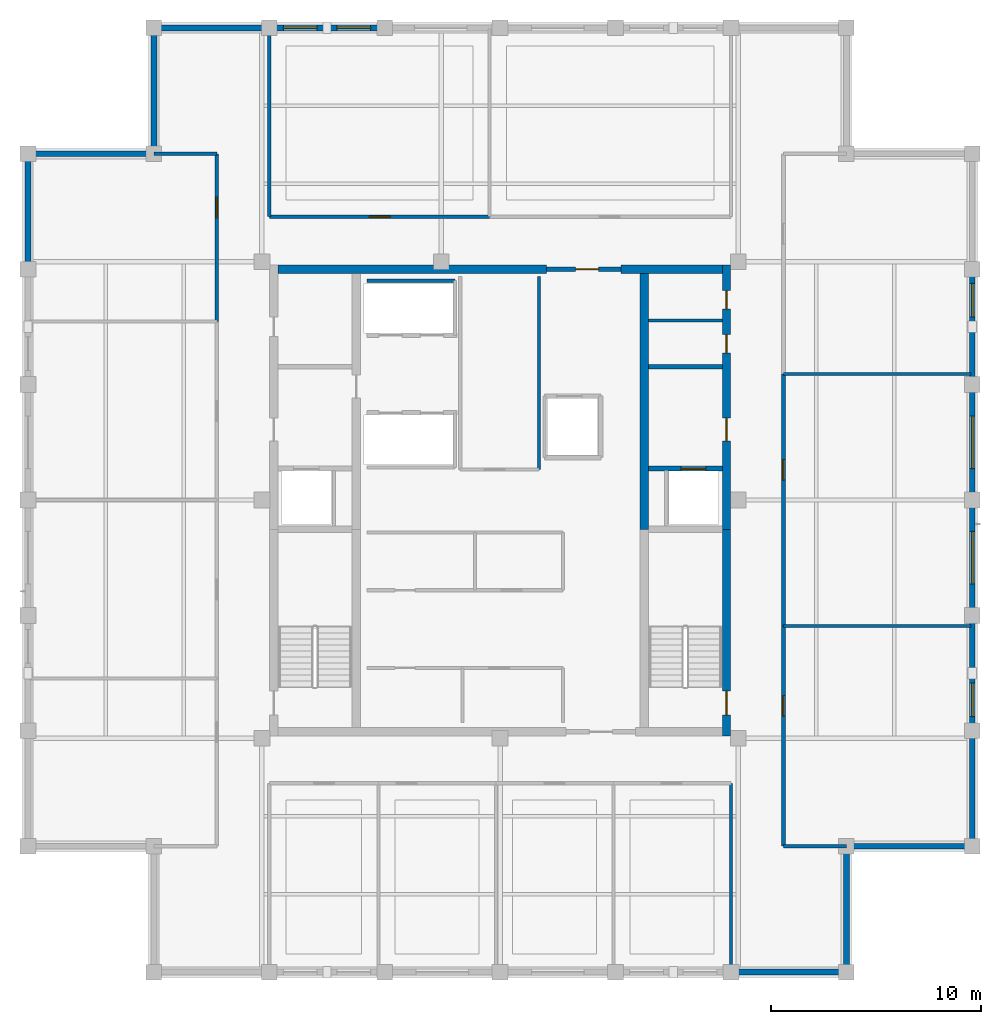
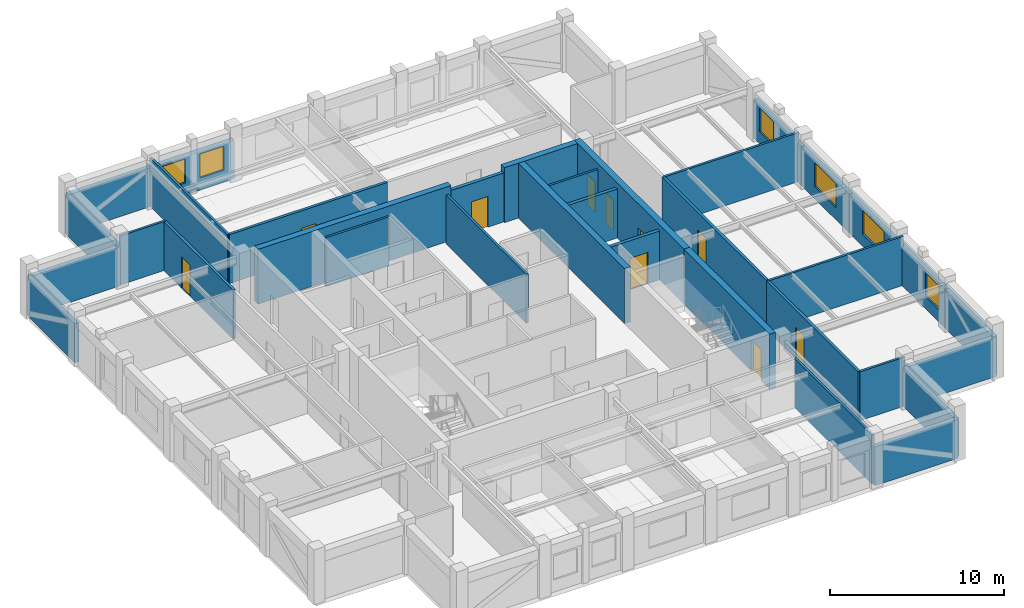
# One storey, part 7 of 10: 34 walls, 10 doors, 6 windows, 16 openings.
"""IFC4 building model written with IfcOpenShell, lengths in metres."""

from ifc_helpers import new_model, si_unit, direction, frame, frame_2d, origin, place, context, subcontext, project, spatial, rectangle, extrude, material, layer, layer_set, type_object, element, fill, save


model = new_model("IFC4")

# Units and contexts
model_context = context("Model", 3, precision=1e-05, world=origin(), true_north=direction((0.0, 1.0)))
body_context = subcontext(model_context, "Body", "Model", "MODEL_VIEW")
ifc_project = project(units=[si_unit("LENGTHUNIT", "METRE"), si_unit("AREAUNIT", "SQUARE_METRE"), si_unit("VOLUMEUNIT", "CUBIC_METRE"), si_unit("PLANEANGLEUNIT", "RADIAN"), si_unit("MASSUNIT", "GRAM", prefix="KILO")], contexts=[model_context])

# Site, building, storey
site_placement = place(None, origin())
site = spatial("IfcSite", under=ifc_project, at=site_placement, CompositionType="ELEMENT")
building_placement = place(site_placement, origin())
building = spatial("IfcBuilding", under=site, at=building_placement, Name="Nhamokura Convention Tower", CompositionType="ELEMENT")
storey_placement = place(building_placement, frame((0.0, 0.0, 262.14990234375)))
storey = spatial("IfcBuildingStorey", under=building, at=storey_placement, Name="L64", CompositionType="ELEMENT", Elevation=262.14990234375)

# Walls
ifc_material_1 = material(Name="Moisture-resistant tile-backer partition", Category="masonry")
ifc_layer_1 = layer(ifc_material_1, 0.139892578125)
ifc_layer_set_1 = layer_set([ifc_layer_1], Name="BathroomWetWall_140")
wall_type_1 = type_object("IfcWallType", Name="BathroomWetWall_140", PredefinedType="STANDARD", material=ifc_layer_set_1)
wall_1_placement = place(storey_placement, frame((39.06005859375, 40.550048828125, 0.0), z_axis=(0.0, 0.0, 1.0), x_axis=(1.0, 0.0, 0.0)))
element("IfcWall", 1, at=wall_1_placement, inside=storey, type_object=wall_type_1, Name="L64 Wall INT-L64-CWNE", PredefinedType="STANDARD", context=body_context, shape_type="SweptSolid", body=[
    extrude(rectangle(XDim=3.530029296875, YDim=0.139892578125, at=frame_2d((1.76513671875, 0.0))), origin(), (0.0, 0.0, 1.0), 3.43017578125),
])
ifc_material_2 = material(Name="Bronze-pigmented precast concrete C45/55", Category="concrete")
ifc_layer_2 = layer(ifc_material_2, 0.280029296875)
ifc_layer_set_2 = layer_set([ifc_layer_2], Name="BronzePrecastSpandrel_280")
wall_type_2 = type_object("IfcWallType", Name="BronzePrecastSpandrel_280", PredefinedType="USERDEFINED", material=ifc_layer_set_2)
for number, where, z_axis, x_axis, name in (
    (2, (48.5, 9.5, 0.0), (0.0, 0.0, 1.0), (-1.0, 0.0, 0.0), "L64 Braced-Bay Precast Wall SOUTH 5"),
    (3, (15.5, 54.5, 0.0), (0.0, 0.0, 1.0), (1.0, 0.0, 0.0), "L64 Braced-Bay Precast Wall NORTH 0"),
):
    element("IfcWall", number, at=place(storey_placement, frame(where, z_axis=z_axis, x_axis=x_axis)), inside=storey, type_object=wall_type_2, Name=name, ObjectType="SPANDREL_WALL", PredefinedType="USERDEFINED", context=body_context, shape_type="SweptSolid", body=[
        extrude(rectangle(XDim=5.5, YDim=0.280029296875, at=frame_2d((2.75, 0.0))), origin(), (0.0, 0.0, 1.0), 2.72998046875),
    ])

# Wall, openings, windows
wall_2_placement = place(storey_placement, frame((21.0, 54.5, 0.0), z_axis=(0.0, 0.0, 1.0), x_axis=(1.0, 0.0, 0.0)))
wall_2 = element("IfcWall", 4, at=wall_2_placement, inside=storey, type_object=wall_type_2, Name="L64 Masonry-Frame Wall NORTH 1", ObjectType="SPANDREL_WALL", PredefinedType="USERDEFINED", context=body_context, shape_type="SweptSolid", body=[
    extrude(rectangle(XDim=5.5, YDim=0.280029296875, at=frame_2d((2.75, 0.0))), origin(), (0.0, 0.0, 1.0), 2.72998046875),
])
opening_1_placement = place(wall_2_placement, frame((0.675048828125, 0.0, 0.85009765625)))
opening_1 = element("IfcOpeningElement", 5, at=opening_1_placement, cuts=wall_2, Name="Opening W-11", PredefinedType="OPENING", context=body_context, shape_type="SweptSolid", body=[
    extrude(rectangle(XDim=1.60009765625, YDim=1.679931640625, at=frame_2d((0.800048828125, 0.83984375))), frame((0.0, 0.14990234375, 0.0), z_axis=(0.0, -1.0, 0.0), x_axis=(1.0, 0.0, 0.0)), (0.0, 0.0, 1.0), 0.300048828125),
])
opening_2_placement = place(wall_2_placement, frame((3.22509765625, 0.0, 0.85009765625)))
opening_2 = element("IfcOpeningElement", 6, at=opening_2_placement, cuts=wall_2, Name="Opening W-11", PredefinedType="OPENING", context=body_context, shape_type="SweptSolid", body=[
    extrude(rectangle(XDim=1.60009765625, YDim=1.679931640625, at=frame_2d((0.800048828125, 0.83984375))), frame((0.0, 0.14990234375, 0.0), z_axis=(0.0, -1.0, 0.0), x_axis=(1.0, 0.0, 0.0)), (0.0, 0.0, 1.0), 0.300048828125),
])
ifc_material_3 = material(Name="Solar-control bronze low-E double glass", Category="glass")
window_type_1 = type_object("IfcWindowType", Name="NotchCornerWindow_1600", PartitioningType="SINGLE_PANEL", PredefinedType="WINDOW", material=ifc_material_3)
window_1_placement = place(opening_1_placement, origin())
window_1 = element("IfcWindow", 7, at=window_1_placement, inside=storey, type_object=window_type_1, Name="L64 Facade Window NORTH 1-1", OverallHeight=1.679931640625, OverallWidth=1.60009765625, PartitioningType="SINGLE_PANEL", PredefinedType="WINDOW", context=body_context, shape_type="SweptSolid", body=[
    extrude(rectangle(XDim=1.60009765625, YDim=1.679931640625, at=frame_2d((0.800048828125, 0.83984375))), frame((0.0, 0.030029296875, 0.0), z_axis=(0.0, -1.0, 0.0), x_axis=(1.0, 0.0, 0.0)), (0.0, 0.0, 1.0), 0.06005859375),
])
fill(opening_1, window_1)
window_2_placement = place(opening_2_placement, origin())
window_2 = element("IfcWindow", 8, at=window_2_placement, inside=storey, type_object=window_type_1, Name="L64 Facade Window NORTH 1-2", OverallHeight=1.679931640625, OverallWidth=1.60009765625, PartitioningType="SINGLE_PANEL", PredefinedType="WINDOW", context=body_context, shape_type="SweptSolid", body=[
    extrude(rectangle(XDim=1.60009765625, YDim=1.679931640625, at=frame_2d((0.800048828125, 0.83984375))), frame((0.0, 0.030029296875, 0.0), z_axis=(0.0, -1.0, 0.0), x_axis=(1.0, 0.0, 0.0)), (0.0, 0.0, 1.0), 0.06005859375),
])
fill(opening_2, window_2)

# Walls
for number, where, z_axis, x_axis, name in (
    (9, (9.5, 43.0, 0.0), (0.0, 0.0, 1.0), (0.0, 1.0, 0.0), "L64 Braced-Bay Precast Wall WEST 5"),
    (10, (54.5, 21.0, 0.0), (0.0, 0.0, 1.0), (0.0, -1.0, 0.0), "L64 Braced-Bay Precast Wall EAST 0"),
):
    element("IfcWall", number, at=place(storey_placement, frame(where, z_axis=z_axis, x_axis=x_axis)), inside=storey, type_object=wall_type_2, Name=name, ObjectType="SPANDREL_WALL", PredefinedType="USERDEFINED", context=body_context, shape_type="SweptSolid", body=[
        extrude(rectangle(XDim=5.5, YDim=0.280029296875, at=frame_2d((2.75, 0.0))), origin(), (0.0, 0.0, 1.0), 2.72998046875),
    ])

# Wall, opening, window
wall_3_placement = place(storey_placement, frame((54.5, 26.5, 0.0), z_axis=(0.0, 0.0, 1.0), x_axis=(0.0, -1.0, 0.0)))
wall_3 = element("IfcWall", 11, at=wall_3_placement, inside=storey, type_object=wall_type_2, Name="L64 Masonry-Frame Wall EAST 1", ObjectType="SPANDREL_WALL", PredefinedType="USERDEFINED", context=body_context, shape_type="SweptSolid", body=[
    extrude(rectangle(XDim=5.5, YDim=0.280029296875, at=frame_2d((2.75, 0.0))), origin(), (0.0, 0.0, 1.0), 2.72998046875),
])
opening_3_placement = place(wall_3_placement, frame((3.22509765625, 0.0, 0.85009765625)))
opening_3 = element("IfcOpeningElement", 12, at=opening_3_placement, cuts=wall_3, Name="Opening W-11", PredefinedType="OPENING", context=body_context, shape_type="SweptSolid", body=[
    extrude(rectangle(XDim=1.60009765625, YDim=1.679931640625, at=frame_2d((0.800048828125, 0.83984375))), frame((0.0, 0.14990234375, 0.0), z_axis=(0.0, -1.0, 0.0), x_axis=(1.0, 0.0, 0.0)), (0.0, 0.0, 1.0), 0.300048828125),
])
window_3_placement = place(opening_3_placement, origin())
window_3 = element("IfcWindow", 13, at=window_3_placement, inside=storey, type_object=window_type_1, Name="L64 Facade Window EAST 1-2", OverallHeight=1.679931640625, OverallWidth=1.60009765625, PartitioningType="SINGLE_PANEL", PredefinedType="WINDOW", context=body_context, shape_type="SweptSolid", body=[
    extrude(rectangle(XDim=1.60009765625, YDim=1.679931640625, at=frame_2d((0.800048828125, 0.83984375))), frame((0.0, 0.030029296875, 0.0), z_axis=(0.0, -1.0, 0.0), x_axis=(1.0, 0.0, 0.0)), (0.0, 0.0, 1.0), 0.06005859375),
])
fill(opening_3, window_3)

wall_4_placement = place(storey_placement, frame((54.5, 32.0, 0.0), z_axis=(0.0, 0.0, 1.0), x_axis=(0.0, -1.0, 0.0)))
wall_4 = element("IfcWall", 14, at=wall_4_placement, inside=storey, type_object=wall_type_2, Name="L64 Masonry-Frame Wall EAST 2", ObjectType="SPANDREL_WALL", PredefinedType="USERDEFINED", context=body_context, shape_type="SweptSolid", body=[
    extrude(rectangle(XDim=5.5, YDim=0.280029296875, at=frame_2d((2.75, 0.0))), origin(), (0.0, 0.0, 1.0), 2.72998046875),
])
opening_4_placement = place(wall_4_placement, frame((1.5, 0.0, 0.85009765625)))
opening_4 = element("IfcOpeningElement", 15, at=opening_4_placement, cuts=wall_4, Name="Opening W-09", PredefinedType="OPENING", context=body_context, shape_type="SweptSolid", body=[
    extrude(rectangle(XDim=2.5, YDim=1.679931640625, at=frame_2d((1.25, 0.83984375))), frame((0.0, 0.14990234375, 0.0), z_axis=(0.0, -1.0, 0.0), x_axis=(1.0, 0.0, 0.0)), (0.0, 0.0, 1.0), 0.300048828125),
])
ifc_material_4 = material(Name="Solar-control bronze low-E double glass", Category="glass")
window_type_2 = type_object("IfcWindowType", Name="SummitWindow_Z4_2500", PartitioningType="DOUBLE_PANEL_VERTICAL", PredefinedType="WINDOW", material=ifc_material_4)
window_4_placement = place(opening_4_placement, origin())
window_4 = element("IfcWindow", 16, at=window_4_placement, inside=storey, type_object=window_type_2, Name="L64 Facade Window EAST 2", OverallHeight=1.679931640625, OverallWidth=2.5, PartitioningType="SINGLE_PANEL", PredefinedType="WINDOW", context=body_context, shape_type="SweptSolid", body=[
    extrude(rectangle(XDim=2.5, YDim=1.679931640625, at=frame_2d((1.25, 0.83984375))), frame((0.0, 0.030029296875, 0.0), z_axis=(0.0, -1.0, 0.0), x_axis=(1.0, 0.0, 0.0)), (0.0, 0.0, 1.0), 0.06005859375),
])
fill(opening_4, window_4)

wall_5_placement = place(storey_placement, frame((54.5, 37.5, 0.0), z_axis=(0.0, 0.0, 1.0), x_axis=(0.0, -1.0, 0.0)))
wall_5 = element("IfcWall", 17, at=wall_5_placement, inside=storey, type_object=wall_type_2, Name="L64 Masonry-Frame Wall EAST 3", ObjectType="SPANDREL_WALL", PredefinedType="USERDEFINED", context=body_context, shape_type="SweptSolid", body=[
    extrude(rectangle(XDim=5.5, YDim=0.280029296875, at=frame_2d((2.75, 0.0))), origin(), (0.0, 0.0, 1.0), 2.72998046875),
])
opening_5_placement = place(wall_5_placement, frame((1.5, 0.0, 0.85009765625)))
opening_5 = element("IfcOpeningElement", 18, at=opening_5_placement, cuts=wall_5, Name="Opening W-09", PredefinedType="OPENING", context=body_context, shape_type="SweptSolid", body=[
    extrude(rectangle(XDim=2.5, YDim=1.679931640625, at=frame_2d((1.25, 0.83984375))), frame((0.0, 0.14990234375, 0.0), z_axis=(0.0, -1.0, 0.0), x_axis=(1.0, 0.0, 0.0)), (0.0, 0.0, 1.0), 0.300048828125),
])
window_5_placement = place(opening_5_placement, origin())
window_5 = element("IfcWindow", 19, at=window_5_placement, inside=storey, type_object=window_type_2, Name="L64 Facade Window EAST 3", OverallHeight=1.679931640625, OverallWidth=2.5, PartitioningType="SINGLE_PANEL", PredefinedType="WINDOW", context=body_context, shape_type="SweptSolid", body=[
    extrude(rectangle(XDim=2.5, YDim=1.679931640625, at=frame_2d((1.25, 0.83984375))), frame((0.0, 0.030029296875, 0.0), z_axis=(0.0, -1.0, 0.0), x_axis=(1.0, 0.0, 0.0)), (0.0, 0.0, 1.0), 0.06005859375),
])
fill(opening_5, window_5)

wall_6_placement = place(storey_placement, frame((54.5, 43.0, 0.0), z_axis=(0.0, 0.0, 1.0), x_axis=(0.0, -1.0, 0.0)))
wall_6 = element("IfcWall", 20, at=wall_6_placement, inside=storey, type_object=wall_type_2, Name="L64 Masonry-Frame Wall EAST 4", ObjectType="SPANDREL_WALL", PredefinedType="USERDEFINED", context=body_context, shape_type="SweptSolid", body=[
    extrude(rectangle(XDim=5.5, YDim=0.280029296875, at=frame_2d((2.75, 0.0))), origin(), (0.0, 0.0, 1.0), 2.72998046875),
])
opening_6_placement = place(wall_6_placement, frame((0.675048828125, 0.0, 0.85009765625)))
opening_6 = element("IfcOpeningElement", 21, at=opening_6_placement, cuts=wall_6, Name="Opening W-11", PredefinedType="OPENING", context=body_context, shape_type="SweptSolid", body=[
    extrude(rectangle(XDim=1.60009765625, YDim=1.679931640625, at=frame_2d((0.800048828125, 0.83984375))), frame((0.0, 0.14990234375, 0.0), z_axis=(0.0, -1.0, 0.0), x_axis=(1.0, 0.0, 0.0)), (0.0, 0.0, 1.0), 0.300048828125),
])
window_6_placement = place(opening_6_placement, origin())
window_6 = element("IfcWindow", 22, at=window_6_placement, inside=storey, type_object=window_type_1, Name="L64 Facade Window EAST 4-1", OverallHeight=1.679931640625, OverallWidth=1.60009765625, PartitioningType="SINGLE_PANEL", PredefinedType="WINDOW", context=body_context, shape_type="SweptSolid", body=[
    extrude(rectangle(XDim=1.60009765625, YDim=1.679931640625, at=frame_2d((0.800048828125, 0.83984375))), frame((0.0, 0.030029296875, 0.0), z_axis=(0.0, -1.0, 0.0), x_axis=(1.0, 0.0, 0.0)), (0.0, 0.0, 1.0), 0.06005859375),
])
fill(opening_6, window_6)

# Walls
for number, where, z_axis, x_axis, name in (
    (23, (48.5, 15.5, 0.0), (0.0, 0.0, 1.0), (0.0, -1.0, 0.0), "L64 Notched Corner Wall SE1"),
    (24, (54.5, 15.5, 0.0), (0.0, 0.0, 1.0), (-1.0, 0.0, 0.0), "L64 Notched Corner Wall SE2"),
    (25, (15.5, 48.5, 0.0), (0.0, 0.0, 1.0), (0.0, 1.0, 0.0), "L64 Notched Corner Wall NW1"),
    (26, (9.5, 48.5, 0.0), (0.0, 0.0, 1.0), (1.0, 0.0, 0.0), "L64 Notched Corner Wall NW2"),
):
    element("IfcWall", number, at=place(storey_placement, frame(where, z_axis=z_axis, x_axis=x_axis)), inside=storey, type_object=wall_type_2, Name=name, ObjectType="SPANDREL_WALL", PredefinedType="USERDEFINED", context=body_context, shape_type="SweptSolid", body=[
        extrude(rectangle(XDim=6.0, YDim=0.280029296875, at=frame_2d((3.0, 0.0))), origin(), (0.0, 0.0, 1.0), 2.72998046875),
    ])

# Wall, opening, door
ifc_material_5 = material(Name="Concrete C50/60", Category="concrete")
ifc_layer_3 = layer(ifc_material_5, 0.39990234375)
ifc_layer_set_3 = layer_set([ifc_layer_3], Name="CoreShearWall_400")
wall_type_3 = type_object("IfcWallType", Name="CoreShearWall_400", PredefinedType="SHEAR", material=ifc_layer_set_3)
wall_7_placement = place(storey_placement, frame((42.7900390625, 20.75, 0.0), z_axis=(0.0, 0.0, 1.0), x_axis=(0.0, 1.0, 0.0)))
wall_7 = element("IfcWall", 27, at=wall_7_placement, inside=storey, type_object=wall_type_3, Name="L64 Core Shear Wall CW-ES", PredefinedType="SHEAR", context=body_context, shape_type="SweptSolid", body=[
    extrude(rectangle(XDim=9.85009765625, YDim=0.39990234375, at=frame_2d((4.925048828125, 0.0))), origin(), (0.0, 0.0, 1.0), 3.85009765625),
])
opening_7_placement = place(wall_7_placement, frame((1.0, 0.0, 0.0)))
opening_7 = element("IfcOpeningElement", 28, at=opening_7_placement, cuts=wall_7, Name="Opening D-04", PredefinedType="OPENING", context=body_context, shape_type="SweptSolid", body=[
    extrude(rectangle(XDim=1.14990234375, YDim=2.14990234375, at=frame_2d((0.574951171875, 1.074951171875))), frame((0.0, 0.2099609375, 0.0), z_axis=(0.0, -1.0, 0.0), x_axis=(1.0, 0.0, 0.0)), (0.0, 0.0, 1.0), 0.419921875),
])
ifc_material_6 = material(Name="Fire-rated steel door", Category="steel")
door_type_1 = type_object("IfcDoorType", Name="StairSmokeDoor_1150", OperationType="NOTDEFINED", PredefinedType="DOOR", material=ifc_material_6)
door_1_placement = place(opening_7_placement, origin())
door_1 = element("IfcDoor", 29, at=door_1_placement, inside=storey, type_object=door_type_1, Name="L64 Core Door INT-L64-D-ST02", OperationType="SINGLE_SWING_RIGHT", OverallHeight=2.14990234375, OverallWidth=1.14990234375, PredefinedType="DOOR", context=body_context, shape_type="SweptSolid", body=[
    extrude(rectangle(XDim=1.14990234375, YDim=2.14990234375, at=frame_2d((0.574951171875, 1.074951171875))), frame((0.0, 0.02490234375, 0.0), z_axis=(0.0, -1.0, 0.0), x_axis=(1.0, 0.0, 0.0)), (0.0, 0.0, 1.0), 0.050048828125),
])
fill(opening_7, door_1)

# Wall, openings, doors
wall_8_placement = place(storey_placement, frame((42.7900390625, 30.60009765625, 0.0), z_axis=(0.0, 0.0, 1.0), x_axis=(0.0, 1.0, 0.0)))
wall_8 = element("IfcWall", 30, at=wall_8_placement, inside=storey, type_object=wall_type_3, Name="L64 Core Shear Wall CW-EN", PredefinedType="SHEAR", context=body_context, shape_type="SweptSolid", body=[
    extrude(rectangle(XDim=12.599853515625, YDim=0.39990234375, at=frame_2d((6.2998046875, 0.0))), origin(), (0.0, 0.0, 1.0), 3.85009765625),
])
opening_8_placement = place(wall_8_placement, frame((4.199951171875, 0.0, 0.0)))
opening_8 = element("IfcOpeningElement", 31, at=opening_8_placement, cuts=wall_8, Name="Opening D-05", PredefinedType="OPENING", context=body_context, shape_type="SweptSolid", body=[
    extrude(rectangle(XDim=1.10009765625, YDim=2.14990234375, at=frame_2d((0.550048828125, 1.074951171875))), frame((0.0, 0.2099609375, 0.0), z_axis=(0.0, -1.0, 0.0), x_axis=(1.0, 0.0, 0.0)), (0.0, 0.0, 1.0), 0.419921875),
])
opening_9_placement = place(wall_8_placement, frame((8.39990234375, 0.0, 0.0)))
opening_9 = element("IfcOpeningElement", 32, at=opening_9_placement, cuts=wall_8, Name="Opening D-11", PredefinedType="OPENING", context=body_context, shape_type="SweptSolid", body=[
    extrude(rectangle(XDim=0.8798828125, YDim=2.10009765625, at=frame_2d((0.43994140625, 1.050048828125))), frame((0.0, 0.2099609375, 0.0), z_axis=(0.0, -1.0, 0.0), x_axis=(1.0, 0.0, 0.0)), (0.0, 0.0, 1.0), 0.419921875),
])
opening_10_placement = place(wall_8_placement, frame((10.5, 0.0, 0.0)))
opening_10 = element("IfcOpeningElement", 33, at=opening_10_placement, cuts=wall_8, Name="Opening D-11", PredefinedType="OPENING", context=body_context, shape_type="SweptSolid", body=[
    extrude(rectangle(XDim=0.8798828125, YDim=2.10009765625, at=frame_2d((0.43994140625, 1.050048828125))), frame((0.0, 0.2099609375, 0.0), z_axis=(0.0, -1.0, 0.0), x_axis=(1.0, 0.0, 0.0)), (0.0, 0.0, 1.0), 0.419921875),
])
ifc_material_7 = material(Name="Solid oak hardwood", Category="wood")
door_type_2 = type_object("IfcDoorType", Name="BathroomDoor_880", OperationType="NOTDEFINED", PredefinedType="DOOR", material=ifc_material_7)
door_2_placement = place(opening_9_placement, origin())
door_2 = element("IfcDoor", 34, at=door_2_placement, inside=storey, type_object=door_type_2, Name="L64 Core Door INT-L64-D-MWC", OperationType="SINGLE_SWING_RIGHT", OverallHeight=2.10009765625, OverallWidth=0.8798828125, PredefinedType="DOOR", context=body_context, shape_type="SweptSolid", body=[
    extrude(rectangle(XDim=0.8798828125, YDim=2.10009765625, at=frame_2d((0.43994140625, 1.050048828125))), frame((0.0, 0.02490234375, 0.0), z_axis=(0.0, -1.0, 0.0), x_axis=(1.0, 0.0, 0.0)), (0.0, 0.0, 1.0), 0.050048828125),
])
fill(opening_9, door_2)
door_3_placement = place(opening_10_placement, origin())
door_3 = element("IfcDoor", 35, at=door_3_placement, inside=storey, type_object=door_type_2, Name="L64 Core Door INT-L64-D-FWC", OperationType="SINGLE_SWING_LEFT", OverallHeight=2.10009765625, OverallWidth=0.8798828125, PredefinedType="DOOR", context=body_context, shape_type="SweptSolid", body=[
    extrude(rectangle(XDim=0.8798828125, YDim=2.10009765625, at=frame_2d((0.43994140625, 1.050048828125))), frame((0.0, 0.02490234375, 0.0), z_axis=(0.0, -1.0, 0.0), x_axis=(1.0, 0.0, 0.0)), (0.0, 0.0, 1.0), 0.050048828125),
])
fill(opening_10, door_3)
ifc_material_8 = material(Name="Fire-rated steel door", Category="steel")
door_type_3 = type_object("IfcDoorType", Name="FireLobbyDoor_1100", OperationType="NOTDEFINED", PredefinedType="DOOR", material=ifc_material_8)
door_4_placement = place(opening_8_placement, origin())
door_4 = element("IfcDoor", 36, at=door_4_placement, inside=storey, type_object=door_type_3, Name="L64 Core Door INT-L64-D-FFLE", OperationType="SINGLE_SWING_LEFT", OverallHeight=2.14990234375, OverallWidth=1.10009765625, PredefinedType="DOOR", context=body_context, shape_type="SweptSolid", body=[
    extrude(rectangle(XDim=1.10009765625, YDim=2.14990234375, at=frame_2d((0.550048828125, 1.074951171875))), frame((0.0, 0.02490234375, 0.0), z_axis=(0.0, -1.0, 0.0), x_axis=(1.0, 0.0, 0.0)), (0.0, 0.0, 1.0), 0.050048828125),
])
fill(opening_8, door_4)

# Walls
wall_9_placement = place(storey_placement, frame((21.409912109375, 43.0, 0.0), z_axis=(0.0, 0.0, 1.0), x_axis=(1.0, 0.0, 0.0)))
element("IfcWall", 37, at=wall_9_placement, inside=storey, type_object=wall_type_3, Name="L64 Core Shear Wall CW-N1", PredefinedType="SHEAR", context=body_context, shape_type="SweptSolid", body=[
    extrude(rectangle(XDim=12.7900390625, YDim=0.39990234375, at=frame_2d((6.39501953125, 0.0))), origin(), (0.0, 0.0, 1.0), 3.85009765625),
])
wall_10_placement = place(storey_placement, frame((37.75, 43.0, 0.0), z_axis=(0.0, 0.0, 1.0), x_axis=(1.0, 0.0, 0.0)))
element("IfcWall", 38, at=wall_10_placement, inside=storey, type_object=wall_type_3, Name="L64 Core Shear Wall CW-N2", PredefinedType="SHEAR", context=body_context, shape_type="SweptSolid", body=[
    extrude(rectangle(XDim=4.840087890625, YDim=0.39990234375, at=frame_2d((2.419921875, 0.0))), origin(), (0.0, 0.0, 1.0), 3.85009765625),
])
wall_11_placement = place(storey_placement, frame((38.860107421875, 30.60009765625, 0.0), z_axis=(0.0, 0.0, 1.0), x_axis=(0.0, 1.0, 0.0)))
element("IfcWall", 39, at=wall_11_placement, inside=storey, type_object=wall_type_3, Name="L64 Core Shear Wall CW-IEN", PredefinedType="SHEAR", context=body_context, shape_type="SweptSolid", body=[
    extrude(rectangle(XDim=12.199951171875, YDim=0.39990234375, at=frame_2d((6.10009765625, 0.0))), origin(), (0.0, 0.0, 1.0), 3.85009765625),
])

# Wall, opening, door
ifc_material_9 = material(Name="Fire-rated gypsum and masonry partition", Category="masonry")
ifc_layer_4 = layer(ifc_material_9, 0.179931640625)
ifc_layer_set_4 = layer_set([ifc_layer_4], Name="CorridorRatedWall_180")
wall_type_4 = type_object("IfcWallType", Name="CorridorRatedWall_180", PredefinedType="STANDARD", material=ifc_layer_set_4)
wall_12_placement = place(storey_placement, frame((21.0, 45.5, 0.0), z_axis=(0.0, 0.0, 1.0), x_axis=(1.0, 0.0, 0.0)))
wall_12 = element("IfcWall", 40, at=wall_12_placement, inside=storey, type_object=wall_type_4, Name="L64 Wall INT-L64-CW-N00", PredefinedType="STANDARD", context=body_context, shape_type="SweptSolid", body=[
    extrude(rectangle(XDim=10.5, YDim=0.179931640625, at=frame_2d((5.25, 0.0))), origin(), (0.0, 0.0, 1.0), 3.43017578125),
])
opening_11_placement = place(wall_12_placement, frame((4.77490234375, 0.0, 0.0)))
opening_11 = element("IfcOpeningElement", 41, at=opening_11_placement, cuts=wall_12, Name="Opening D-08", PredefinedType="OPENING", context=body_context, shape_type="SweptSolid", body=[
    extrude(rectangle(XDim=0.97998046875, YDim=2.199951171875, at=frame_2d((0.489990234375, 1.10009765625))), frame((0.0, 0.099853515625, 0.0), z_axis=(0.0, -1.0, 0.0), x_axis=(1.0, 0.0, 0.0)), (0.0, 0.0, 1.0), 0.199951171875),
])
ifc_material_10 = material(Name="Solid oak hardwood", Category="wood")
door_type_4 = type_object("IfcDoorType", Name="OfficeEntryDoor_980", OperationType="NOTDEFINED", PredefinedType="DOOR", material=ifc_material_10)
door_5_placement = place(opening_11_placement, origin())
door_5 = element("IfcDoor", 42, at=door_5_placement, inside=storey, type_object=door_type_4, Name="L64 Meeting Room N01 Door", OperationType="SINGLE_SWING_LEFT", OverallHeight=2.199951171875, OverallWidth=0.97998046875, PredefinedType="DOOR", context=body_context, shape_type="SweptSolid", body=[
    extrude(rectangle(XDim=0.97998046875, YDim=2.199951171875, at=frame_2d((0.489990234375, 1.10009765625))), frame((0.0, 0.02490234375, 0.0), z_axis=(0.0, -1.0, 0.0), x_axis=(1.0, 0.0, 0.0)), (0.0, 0.0, 1.0), 0.050048828125),
])
fill(opening_11, door_5)

wall_13_placement = place(storey_placement, frame((18.5, 40.5, 0.0), z_axis=(0.0, 0.0, 1.0), x_axis=(0.0, 1.0, 0.0)))
wall_13 = element("IfcWall", 43, at=wall_13_placement, inside=storey, type_object=wall_type_4, Name="L64 Wall INT-L64-CW-W03", PredefinedType="STANDARD", context=body_context, shape_type="SweptSolid", body=[
    extrude(rectangle(XDim=8.0, YDim=0.179931640625, at=frame_2d((4.0, 0.0))), origin(), (0.0, 0.0, 1.0), 3.43017578125),
])
opening_12_placement = place(wall_13_placement, frame((4.949951171875, 0.0, 0.0)))
opening_12 = element("IfcOpeningElement", 44, at=opening_12_placement, cuts=wall_13, Name="Opening D-08", PredefinedType="OPENING", context=body_context, shape_type="SweptSolid", body=[
    extrude(rectangle(XDim=0.97998046875, YDim=2.199951171875, at=frame_2d((0.489990234375, 1.10009765625))), frame((0.0, 0.099853515625, 0.0), z_axis=(0.0, -1.0, 0.0), x_axis=(1.0, 0.0, 0.0)), (0.0, 0.0, 1.0), 0.199951171875),
])
door_6_placement = place(opening_12_placement, origin())
door_6 = element("IfcDoor", 45, at=door_6_placement, inside=storey, type_object=door_type_4, Name="L64 Private Office W04 Door", OperationType="SINGLE_SWING_RIGHT", OverallHeight=2.199951171875, OverallWidth=0.97998046875, PredefinedType="DOOR", context=body_context, shape_type="SweptSolid", body=[
    extrude(rectangle(XDim=0.97998046875, YDim=2.199951171875, at=frame_2d((0.489990234375, 1.10009765625))), frame((0.0, 0.02490234375, 0.0), z_axis=(0.0, -1.0, 0.0), x_axis=(1.0, 0.0, 0.0)), (0.0, 0.0, 1.0), 0.050048828125),
])
fill(opening_12, door_6)

wall_14_placement = place(storey_placement, frame((45.5, 15.5, 0.0), z_axis=(0.0, 0.0, 1.0), x_axis=(0.0, 1.0, 0.0)))
wall_14 = element("IfcWall", 46, at=wall_14_placement, inside=storey, type_object=wall_type_4, Name="L64 Wall INT-L64-CW-E00", PredefinedType="STANDARD", context=body_context, shape_type="SweptSolid", body=[
    extrude(rectangle(XDim=10.5, YDim=0.179931640625, at=frame_2d((5.25, 0.0))), origin(), (0.0, 0.0, 1.0), 3.43017578125),
])
opening_13_placement = place(wall_14_placement, frame((6.199951171875, 0.0, 0.0)))
opening_13 = element("IfcOpeningElement", 47, at=opening_13_placement, cuts=wall_14, Name="Opening D-08", PredefinedType="OPENING", context=body_context, shape_type="SweptSolid", body=[
    extrude(rectangle(XDim=0.97998046875, YDim=2.199951171875, at=frame_2d((0.489990234375, 1.10009765625))), frame((0.0, 0.099853515625, 0.0), z_axis=(0.0, -1.0, 0.0), x_axis=(1.0, 0.0, 0.0)), (0.0, 0.0, 1.0), 0.199951171875),
])
door_7_placement = place(opening_13_placement, origin())
door_7 = element("IfcDoor", 48, at=door_7_placement, inside=storey, type_object=door_type_4, Name="L64 Reception Lounge E01 Door", OperationType="SINGLE_SWING_LEFT", OverallHeight=2.199951171875, OverallWidth=0.97998046875, PredefinedType="DOOR", context=body_context, shape_type="SweptSolid", body=[
    extrude(rectangle(XDim=0.97998046875, YDim=2.199951171875, at=frame_2d((0.489990234375, 1.10009765625))), frame((0.0, 0.02490234375, 0.0), z_axis=(0.0, -1.0, 0.0), x_axis=(1.0, 0.0, 0.0)), (0.0, 0.0, 1.0), 0.050048828125),
])
fill(opening_13, door_7)

wall_15_placement = place(storey_placement, frame((45.5, 26.0, 0.0), z_axis=(0.0, 0.0, 1.0), x_axis=(0.0, 1.0, 0.0)))
wall_15 = element("IfcWall", 49, at=wall_15_placement, inside=storey, type_object=wall_type_4, Name="L64 Wall INT-L64-CW-E01", PredefinedType="STANDARD", context=body_context, shape_type="SweptSolid", body=[
    extrude(rectangle(XDim=12.0, YDim=0.179931640625, at=frame_2d((6.0, 0.0))), origin(), (0.0, 0.0, 1.0), 3.43017578125),
])
opening_14_placement = place(wall_15_placement, frame((6.949951171875, 0.0, 0.0)))
opening_14 = element("IfcOpeningElement", 50, at=opening_14_placement, cuts=wall_15, Name="Opening D-08", PredefinedType="OPENING", context=body_context, shape_type="SweptSolid", body=[
    extrude(rectangle(XDim=0.97998046875, YDim=2.199951171875, at=frame_2d((0.489990234375, 1.10009765625))), frame((0.0, 0.099853515625, 0.0), z_axis=(0.0, -1.0, 0.0), x_axis=(1.0, 0.0, 0.0)), (0.0, 0.0, 1.0), 0.199951171875),
])
door_8_placement = place(opening_14_placement, origin())
door_8 = element("IfcDoor", 51, at=door_8_placement, inside=storey, type_object=door_type_4, Name="L64 Private Office E02 Door", OperationType="SINGLE_SWING_RIGHT", OverallHeight=2.199951171875, OverallWidth=0.97998046875, PredefinedType="DOOR", context=body_context, shape_type="SweptSolid", body=[
    extrude(rectangle(XDim=0.97998046875, YDim=2.199951171875, at=frame_2d((0.489990234375, 1.10009765625))), frame((0.0, 0.02490234375, 0.0), z_axis=(0.0, -1.0, 0.0), x_axis=(1.0, 0.0, 0.0)), (0.0, 0.0, 1.0), 0.050048828125),
])
fill(opening_14, door_8)

ifc_material_11 = material(Name="Autoclaved concrete blockwork", Category="masonry")
ifc_layer_5 = layer(ifc_material_11, 0.219970703125)
ifc_layer_set_5 = layer_set([ifc_layer_5], Name="FireLobbyWall_220")
wall_type_5 = type_object("IfcWallType", Name="FireLobbyWall_220", PredefinedType="STANDARD", material=ifc_layer_set_5)
wall_16_placement = place(storey_placement, frame((39.06005859375, 33.5, 0.0), z_axis=(0.0, 0.0, 1.0), x_axis=(1.0, 0.0, 0.0)))
wall_16 = element("IfcWall", 52, at=wall_16_placement, inside=storey, type_object=wall_type_5, Name="L64 Wall INT-L64-FFE-S", PredefinedType="STANDARD", context=body_context, shape_type="SweptSolid", body=[
    extrude(rectangle(XDim=3.530029296875, YDim=0.219970703125, at=frame_2d((1.76513671875, 0.0))), origin(), (0.0, 0.0, 1.0), 3.43017578125),
])
opening_15_placement = place(wall_16_placement, frame((1.550048828125, 0.0, 0.0)))
opening_15 = element("IfcOpeningElement", 53, at=opening_15_placement, cuts=wall_16, Name="Opening LD-02", PredefinedType="OPENING", context=body_context, shape_type="SweptSolid", body=[
    extrude(rectangle(XDim=1.199951171875, YDim=2.199951171875, at=frame_2d((0.60009765625, 1.10009765625))), frame((0.0, 0.119873046875, 0.0), z_axis=(0.0, -1.0, 0.0), x_axis=(1.0, 0.0, 0.0)), (0.0, 0.0, 1.0), 0.239990234375),
])
ifc_material_12 = material(Name="Anodised bronze stainless steel", Category="steel")
door_type_5 = type_object("IfcDoorType", Name="LiftLandingDoor_FireService", OperationType="DOUBLE_DOOR_SLIDING", PredefinedType="DOOR", material=ifc_material_12)
door_9_placement = place(opening_15_placement, origin())
door_9 = element("IfcDoor", 54, at=door_9_placement, inside=storey, type_object=door_type_5, Name="L64 Firefighting Lift LF-02 Door", OperationType="DOUBLE_DOOR_SLIDING", OverallHeight=2.199951171875, OverallWidth=1.199951171875, PredefinedType="DOOR", context=body_context, shape_type="SweptSolid", body=[
    extrude(rectangle(XDim=1.199951171875, YDim=2.199951171875, at=frame_2d((0.60009765625, 1.10009765625))), frame((0.0, 0.02490234375, 0.0), z_axis=(0.0, -1.0, 0.0), x_axis=(1.0, 0.0, 0.0)), (0.0, 0.0, 1.0), 0.050048828125),
])
fill(opening_15, door_9)

# Wall
wall_17_placement = place(storey_placement, frame((39.06005859375, 38.35009765625, 0.0), z_axis=(0.0, 0.0, 1.0), x_axis=(1.0, 0.0, 0.0)))
element("IfcWall", 55, at=wall_17_placement, inside=storey, type_object=wall_type_5, Name="L64 Wall INT-L64-FFE-N", PredefinedType="STANDARD", context=body_context, shape_type="SweptSolid", body=[
    extrude(rectangle(XDim=3.530029296875, YDim=0.219970703125, at=frame_2d((1.76513671875, 0.0))), origin(), (0.0, 0.0, 1.0), 3.43017578125),
])

# Wall, opening, door
wall_18_placement = place(storey_placement, frame((34.199951171875, 43.0, 0.0), z_axis=(0.0, 0.0, 1.0), x_axis=(1.0, 0.0, 0.0)))
wall_18 = element("IfcWall", 56, at=wall_18_placement, inside=storey, type_object=wall_type_5, Name="L64 Wall INT-L64-CPORT-N", PredefinedType="STANDARD", context=body_context, shape_type="SweptSolid", body=[
    extrude(rectangle(XDim=3.550048828125, YDim=0.219970703125, at=frame_2d((1.77490234375, 0.0))), origin(), (0.0, 0.0, 1.0), 3.43017578125),
])
opening_16_placement = place(wall_18_placement, frame((1.39990234375, 0.0, 0.0)))
opening_16 = element("IfcOpeningElement", 57, at=opening_16_placement, cuts=wall_18, Name="Opening D-05", PredefinedType="OPENING", context=body_context, shape_type="SweptSolid", body=[
    extrude(rectangle(XDim=1.10009765625, YDim=2.14990234375, at=frame_2d((0.550048828125, 1.074951171875))), frame((0.0, 0.119873046875, 0.0), z_axis=(0.0, -1.0, 0.0), x_axis=(1.0, 0.0, 0.0)), (0.0, 0.0, 1.0), 0.239990234375),
])
door_10_placement = place(opening_16_placement, origin())
door_10 = element("IfcDoor", 58, at=door_10_placement, inside=storey, type_object=door_type_3, Name="L64 North Core Lobby Portal Door", OperationType="SINGLE_SWING_RIGHT", OverallHeight=2.14990234375, OverallWidth=1.10009765625, PredefinedType="DOOR", context=body_context, shape_type="SweptSolid", body=[
    extrude(rectangle(XDim=1.10009765625, YDim=2.14990234375, at=frame_2d((0.550048828125, 1.074951171875))), frame((0.0, 0.02490234375, 0.0), z_axis=(0.0, -1.0, 0.0), x_axis=(1.0, 0.0, 0.0)), (0.0, 0.0, 1.0), 0.050048828125),
])
fill(opening_16, door_10)

# Walls
ifc_material_13 = material(Name="Acoustic gypsum stud partition", Category="masonry")
ifc_layer_6 = layer(ifc_material_13, 0.14990234375)
ifc_layer_set_6 = layer_set([ifc_layer_6], Name="InteriorPartition_150")
wall_type_6 = type_object("IfcWallType", Name="InteriorPartition_150", PredefinedType="STANDARD", material=ifc_layer_set_6)
wall_19_placement = place(storey_placement, frame((25.64990234375, 42.449951171875, 0.0), z_axis=(0.0, 0.0, 1.0), x_axis=(1.0, 0.0, 0.0)))
element("IfcWall", 59, at=wall_19_placement, inside=storey, type_object=wall_type_6, Name="L64 Wall INT-L64-B3B-N", PredefinedType="STANDARD", context=body_context, shape_type="SweptSolid", body=[
    extrude(rectangle(XDim=4.2001953125, YDim=0.14990234375, at=frame_2d((2.10009765625, 0.0))), origin(), (0.0, 0.0, 1.0), 3.43017578125),
])
wall_20_placement = place(storey_placement, frame((33.85009765625, 33.449951171875, 0.0), z_axis=(0.0, 0.0, 1.0), x_axis=(0.0, 1.0, 0.0)))
element("IfcWall", 60, at=wall_20_placement, inside=storey, type_object=wall_type_6, Name="L64 Wall INT-L64-ST03E", PredefinedType="STANDARD", context=body_context, shape_type="SweptSolid", body=[
    extrude(rectangle(XDim=9.199951171875, YDim=0.14990234375, at=frame_2d((4.60009765625, 0.0))), origin(), (0.0, 0.0, 1.0), 3.43017578125),
])
for number, where, z_axis, x_axis, name in (
    (61, (43.0, 9.56005859375, 0.0), (0.0, 0.0, 1.0), (0.0, 1.0, 0.0), "L64 Wall INT-L64-RWR-S"),
    (62, (21.0, 45.5, 0.0), (0.0, 0.0, 1.0), (0.0, 1.0, 0.0), "L64 Wall INT-L64-RWL-N"),
    (63, (45.5, 26.0, 0.0), (0.0, 0.0, 1.0), (1.0, 0.0, 0.0), "L64 Wall INT-L64-RW-E01"),
    (64, (45.5, 38.0, 0.0), (0.0, 0.0, 1.0), (1.0, 0.0, 0.0), "L64 Wall INT-L64-RW-E02"),
):
    element("IfcWall", number, at=place(storey_placement, frame(where, z_axis=z_axis, x_axis=x_axis)), inside=storey, type_object=wall_type_6, Name=name, PredefinedType="STANDARD", context=body_context, shape_type="SweptSolid", body=[
        extrude(rectangle(XDim=8.93994140625, YDim=0.14990234375, at=frame_2d((4.469970703125, 0.0))), origin(), (0.0, 0.0, 1.0), 3.43017578125),
    ])
for number, where, z_axis, x_axis, name in (
    (65, (15.5, 48.5, 0.0), (0.0, 0.0, 1.0), (1.0, 0.0, 0.0), "L64 Wall INT-L64-VSTP-WN"),
    (66, (45.5, 15.5, 0.0), (0.0, 0.0, 1.0), (1.0, 0.0, 0.0), "L64 Wall INT-L64-VSTP-ES"),
):
    element("IfcWall", number, at=place(storey_placement, frame(where, z_axis=z_axis, x_axis=x_axis)), inside=storey, type_object=wall_type_6, Name=name, PredefinedType="STANDARD", context=body_context, shape_type="SweptSolid", body=[
        extrude(rectangle(XDim=3.0, YDim=0.14990234375, at=frame_2d((1.5, 0.0))), origin(), (0.0, 0.0, 1.0), 3.43017578125),
    ])

save(model, "model.ifc")
